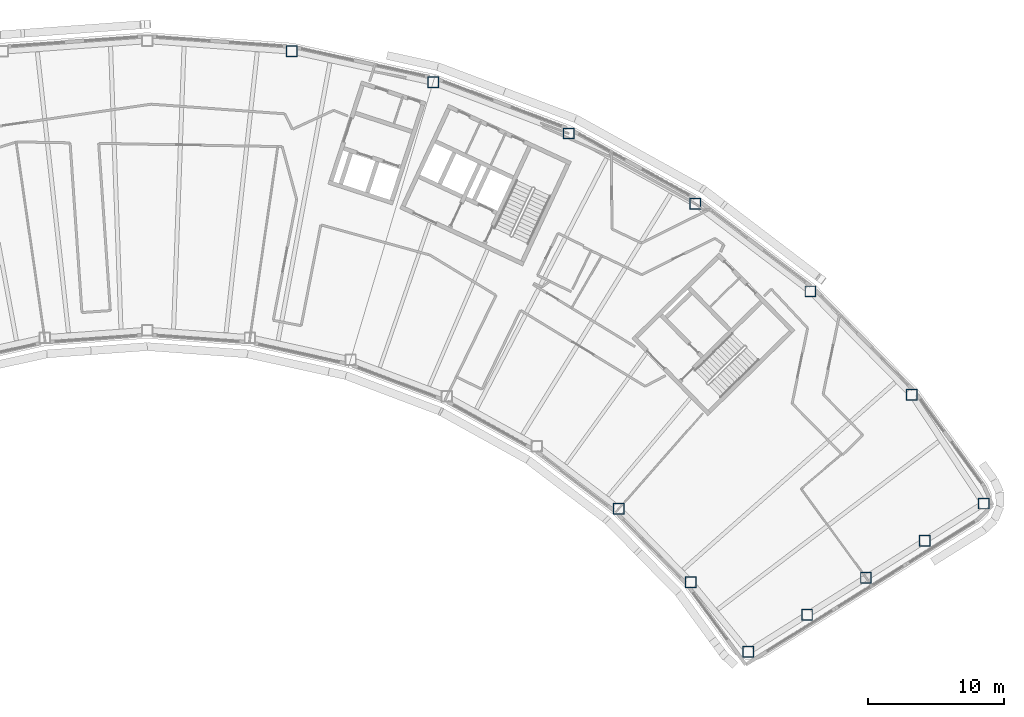
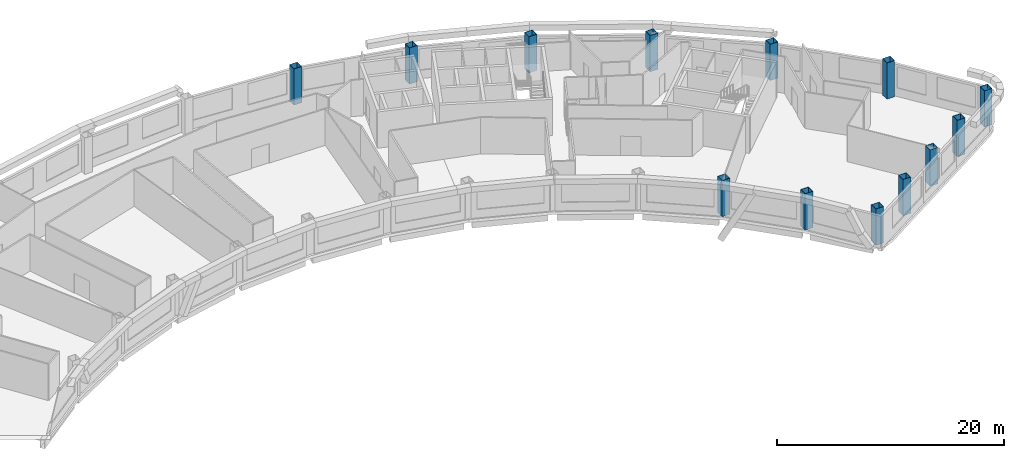
# One storey, part 2 of 13: 13 columns.
"""IFC4 building model written with IfcOpenShell, lengths in metres."""

from ifc_helpers import new_model, si_unit, direction, frame, origin, origin_2d, place, context, subcontext, project, spatial, hollow_rectangle, extrude, material, material_profile, profile_set, type_object, element, save


model = new_model("IFC4")

# Units and contexts
model_context = context("Model", 3, precision=1e-05, world=origin(), true_north=direction((0.0, 1.0)))
body_context = subcontext(model_context, "Body", "Model", "MODEL_VIEW")
ifc_project = project(units=[si_unit("LENGTHUNIT", "METRE"), si_unit("AREAUNIT", "SQUARE_METRE"), si_unit("VOLUMEUNIT", "CUBIC_METRE"), si_unit("PLANEANGLEUNIT", "RADIAN"), si_unit("MASSUNIT", "GRAM", prefix="KILO")], contexts=[model_context])

# Site, building, storey
site_placement = place(None, origin())
site = spatial("IfcSite", under=ifc_project, at=site_placement, CompositionType="ELEMENT")
building_placement = place(site_placement, origin())
building = spatial("IfcBuilding", under=site, at=building_placement, Name="Tuul Gate Civic Tower", CompositionType="ELEMENT")
storey_placement = place(building_placement, frame((0.0, 0.0, 306.800048828125)))
storey = spatial("IfcBuildingStorey", under=building, at=storey_placement, Name="Level 69", CompositionType="ELEMENT", Elevation=306.800048828125)

# Columns
ifc_material = material(Name="Steel S355", Category="steel")
ifc_material_profile = material_profile(ifc_material, hollow_rectangle(XDim=0.800048828125, YDim=0.800048828125, WallThickness=0.031982421875, at=origin_2d()), Name="BOX800x800x32")
ifc_profile_set = profile_set([ifc_material_profile], Name="Steel S355")
column_type = type_object("IfcColumnType", Name="STR-COLUMN-BOX800x800x32", PredefinedType="COLUMN", material=ifc_profile_set)
for number, where, z_axis, x_axis, name in (
    (1, (68.458984375, -24.89697265625, 0.0), (0.0, 0.0, 1.0), (1.0, 0.0, 0.0), "Column"),
    (2, (63.159912109375, -16.884033203125, 0.0), (0.0, 0.0, 1.0), (1.0, 0.0, 0.0), "Column"),
    (3, (55.68603515625, -9.259033203125, 0.0), (0.0, 0.0, 1.0), (1.0, 0.0, 0.0), "Column"),
    (4, (47.19091796875, -2.791015625, 0.0), (0.0, 0.0, 1.0), (1.0, 0.0, 0.0), "Column"),
    (5, (37.85205078125, 2.385009765625, 0.0), (0.0, 0.0, 1.0), (1.0, 0.0, 0.0), "Column"),
    (6, (27.864990234375, 6.162109375, 0.0), (0.0, 0.0, 1.0), (1.0, 0.0, 0.0), "Column"),
    (7, (17.43798828125, 8.4599609375, 0.0), (0.0, 0.0, 1.0), (1.0, 0.0, 0.0), "Column"),
    (8, (41.554931640625, -25.27099609375, 0.0), (0.0, 0.0, 1.0), (1.0, 0.0, 0.0), "Column"),
    (9, (46.868896484375, -30.693115234375, 0.0), (0.0, 0.0, 1.0), (1.0, 0.0, 0.0), "Column"),
    (10, (51.089111328125, -35.8349609375, 0.0), (0.0, 0.0, 1.0), (1.0, 0.0, 0.0), "Column"),
    (11, (55.431884765625, -33.10009765625, 0.0), (0.0, 0.0, 1.0), (1.0, 0.0, 0.0), "Column"),
    (12, (59.77392578125, -30.365966796875, 0.0), (0.0, 0.0, 1.0), (1.0, 0.0, 0.0), "Column"),
    (13, (64.116943359375, -27.631103515625, 0.0), (0.0, 0.0, 1.0), (1.0, 0.0, 0.0), "Column"),
):
    element("IfcColumn", number, at=place(storey_placement, frame(where, z_axis=z_axis, x_axis=x_axis)), inside=storey, type_object=column_type, Name=name, PredefinedType="COLUMN", context=body_context, shape_type="SweptSolid", body=[
        extrude(hollow_rectangle(XDim=0.800048828125, YDim=0.800048828125, WallThickness=0.031982421875, at=origin_2d()), origin(), (0.0, 0.0, 1.0), 3.89990234375),
    ])

save(model, "model.ifc")
